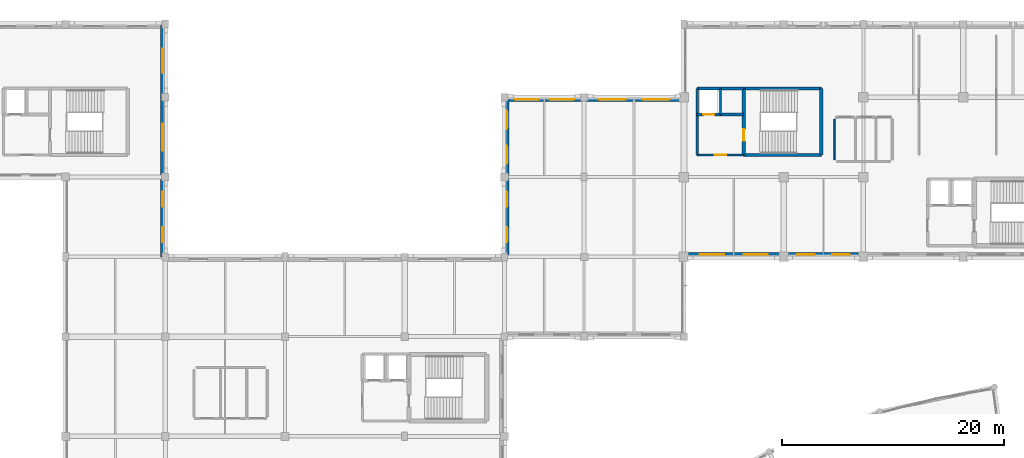
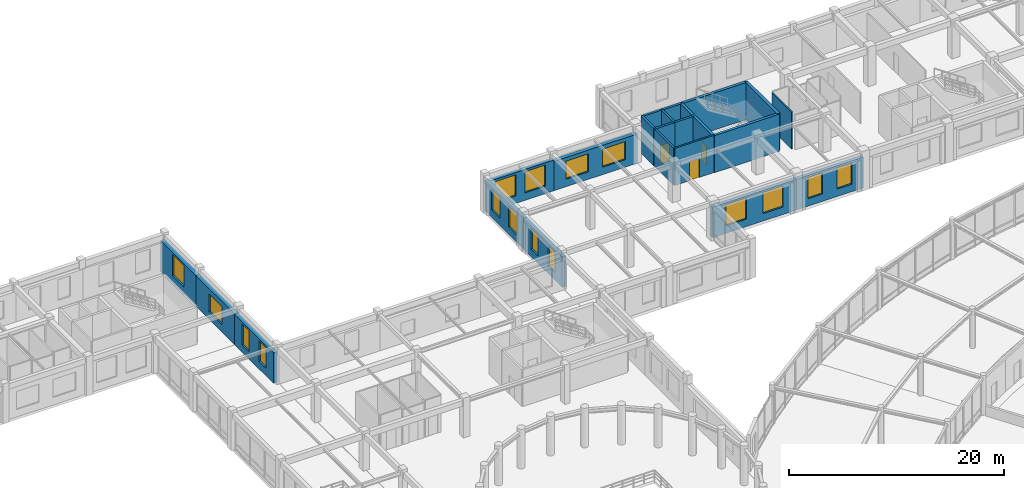
# One storey, part 45 of 62: 21 walls, 16 windows, 3 doors, 19 openings.
"""IFC4 building model written with IfcOpenShell, lengths in metres."""

from ifc_helpers import new_model, si_unit, direction, frame, frame_2d, origin, place, context, subcontext, project, spatial, rectangle, extrude, material, layer, layer_set, type_object, element, fill, save


model = new_model("IFC4")

# Units and contexts
model_context = context("Model", 3, precision=1e-05, world=origin(), true_north=direction((0.0, 1.0)))
body_context = subcontext(model_context, "Body", "Model", "MODEL_VIEW")
ifc_project = project(units=[si_unit("LENGTHUNIT", "METRE"), si_unit("AREAUNIT", "SQUARE_METRE"), si_unit("VOLUMEUNIT", "CUBIC_METRE"), si_unit("PLANEANGLEUNIT", "RADIAN"), si_unit("MASSUNIT", "GRAM", prefix="KILO")], contexts=[model_context])

# Site, building, storey
site_placement = place(None, origin())
site = spatial("IfcSite", under=ifc_project, at=site_placement, CompositionType="ELEMENT")
building_placement = place(site_placement, origin())
building = spatial("IfcBuilding", under=site, at=building_placement, Name="Clarverna Civic Hall", CompositionType="ELEMENT")
storey_placement = place(building_placement, frame((0.0, 0.0, 5.10009765625)))
storey = spatial("IfcBuildingStorey", under=building, at=storey_placement, Name="L01", CompositionType="ELEMENT", Elevation=5.10009765625)

# Wall, opening, window
ifc_material_1 = material(Name="Montjuic Limestone Ashlar Cladding", Category="masonry")
ifc_layer_1 = layer(ifc_material_1, 0.39990234375)
ifc_layer_set_1 = layer_set([ifc_layer_1], Name="Montjuic Limestone Ashlar Cladding")
wall_type_1 = type_object("IfcWallType", Name="EW-02", PredefinedType="SOLIDWALL", material=ifc_layer_set_1)
wall_1_placement = place(storey_placement, frame((66.375, 116.0, 0.0), z_axis=(0.0, 0.0, 1.0), x_axis=(0.0, -1.0, 0.0)))
wall_1 = element("IfcWall", 1, at=wall_1_placement, inside=storey, type_object=wall_type_1, Name="EW-02-024", PredefinedType="SOLIDWALL", context=body_context, shape_type="SweptSolid", body=[
    extrude(rectangle(XDim=6.60009765625, YDim=0.39990234375, at=frame_2d((3.300048828125, 0.0))), origin(), (0.0, 0.0, 1.0), 3.5),
])
opening_1_placement = place(wall_1_placement, frame((2.199951171875, 0.0, 0.85009765625)))
opening_1 = element("IfcOpeningElement", 2, at=opening_1_placement, cuts=wall_1, Name="Opening WN-04", PredefinedType="OPENING", context=body_context, shape_type="SweptSolid", body=[
    extrude(rectangle(XDim=2.199951171875, YDim=2.39990234375, at=frame_2d((1.10009765625, 1.199951171875))), frame((0.0, 0.2099609375, 0.0), z_axis=(0.0, -1.0, 0.0), x_axis=(1.0, 0.0, 0.0)), (0.0, 0.0, 1.0), 0.419921875),
])
ifc_material_2 = material(Name="Solar-Control Argon Low-E Double Glazing", Category="glass")
window_type_1 = type_object("IfcWindowType", Name="WN-04", PartitioningType="DOUBLE_PANEL_VERTICAL", PredefinedType="WINDOW", material=ifc_material_2)
window_1_placement = place(opening_1_placement, origin())
window_1 = element("IfcWindow", 3, at=window_1_placement, inside=storey, type_object=window_type_1, Name="WN-04-006", OverallHeight=2.39990234375, OverallWidth=2.199951171875, PartitioningType="DOUBLE_PANEL_VERTICAL", PredefinedType="WINDOW", context=body_context, shape_type="SweptSolid", body=[
    extrude(rectangle(XDim=2.199951171875, YDim=2.39990234375, at=frame_2d((1.10009765625, 1.199951171875))), frame((0.0, 0.030029296875, 0.0), z_axis=(0.0, -1.0, 0.0), x_axis=(1.0, 0.0, 0.0)), (0.0, 0.0, 1.0), 0.06005859375),
])
fill(opening_1, window_1)

wall_2_placement = place(storey_placement, frame((66.375, 109.39990234375, 0.0), z_axis=(0.0, 0.0, 1.0), x_axis=(0.0, -1.0, 0.0)))
wall_2 = element("IfcWall", 4, at=wall_2_placement, inside=storey, type_object=wall_type_1, Name="EW-02-025", PredefinedType="SOLIDWALL", context=body_context, shape_type="SweptSolid", body=[
    extrude(rectangle(XDim=7.199951171875, YDim=0.39990234375, at=frame_2d((3.60009765625, 0.0))), origin(), (0.0, 0.0, 1.0), 3.5),
])
opening_2_placement = place(wall_2_placement, frame((2.375, 0.0, 0.85009765625)))
opening_2 = element("IfcOpeningElement", 5, at=opening_2_placement, cuts=wall_2, Name="Opening WN-24", PredefinedType="OPENING", context=body_context, shape_type="SweptSolid", body=[
    extrude(rectangle(XDim=2.449951171875, YDim=2.050048828125, at=frame_2d((1.22509765625, 1.02490234375))), frame((0.0, 0.2099609375, 0.0), z_axis=(0.0, -1.0, 0.0), x_axis=(1.0, 0.0, 0.0)), (0.0, 0.0, 1.0), 0.419921875),
])
window_type_2 = type_object("IfcWindowType", Name="WN-24", PartitioningType="TRIPLE_PANEL_VERTICAL", PredefinedType="WINDOW", material=ifc_material_2)
window_2_placement = place(opening_2_placement, origin())
window_2 = element("IfcWindow", 6, at=window_2_placement, inside=storey, type_object=window_type_2, Name="WN-24-011", OverallHeight=2.050048828125, OverallWidth=2.449951171875, PartitioningType="TRIPLE_PANEL_VERTICAL", PredefinedType="WINDOW", context=body_context, shape_type="SweptSolid", body=[
    extrude(rectangle(XDim=2.449951171875, YDim=2.050048828125, at=frame_2d((1.22509765625, 1.02490234375))), frame((0.0, 0.030029296875, 0.0), z_axis=(0.0, -1.0, 0.0), x_axis=(1.0, 0.0, 0.0)), (0.0, 0.0, 1.0), 0.06005859375),
])
fill(opening_2, window_2)

# Wall, openings, windows
wall_3_placement = place(storey_placement, frame((66.375, 102.199951171875, 0.0), z_axis=(0.0, 0.0, 1.0), x_axis=(0.0, -1.0, 0.0)))
wall_3 = element("IfcWall", 7, at=wall_3_placement, inside=storey, type_object=wall_type_1, Name="EW-02-026", PredefinedType="SOLIDWALL", context=body_context, shape_type="SweptSolid", body=[
    extrude(rectangle(XDim=7.199951171875, YDim=0.39990234375, at=frame_2d((3.60009765625, 0.0))), origin(), (0.0, 0.0, 1.0), 3.4599609375),
])
opening_3_placement = place(wall_3_placement, frame((1.341064453125, 0.0, 0.85009765625)))
opening_3 = element("IfcOpeningElement", 8, at=opening_3_placement, cuts=wall_3, Name="Opening WN-29", PredefinedType="OPENING", context=body_context, shape_type="SweptSolid", body=[
    extrude(rectangle(XDim=1.35009765625, YDim=2.35009765625, at=frame_2d((0.675048828125, 1.175048828125))), frame((0.0, 0.2099609375, 0.0), z_axis=(0.0, -1.0, 0.0), x_axis=(1.0, 0.0, 0.0)), (0.0, 0.0, 1.0), 0.419921875),
])
opening_4_placement = place(wall_3_placement, frame((4.509033203125, 0.0, 0.85009765625)))
opening_4 = element("IfcOpeningElement", 9, at=opening_4_placement, cuts=wall_3, Name="Opening WN-29", PredefinedType="OPENING", context=body_context, shape_type="SweptSolid", body=[
    extrude(rectangle(XDim=1.35009765625, YDim=2.35009765625, at=frame_2d((0.675048828125, 1.175048828125))), frame((0.0, 0.2099609375, 0.0), z_axis=(0.0, -1.0, 0.0), x_axis=(1.0, 0.0, 0.0)), (0.0, 0.0, 1.0), 0.419921875),
])
window_type_3 = type_object("IfcWindowType", Name="WN-29", PartitioningType="SINGLE_PANEL", PredefinedType="WINDOW", material=ifc_material_2)
window_3_placement = place(opening_3_placement, origin())
window_3 = element("IfcWindow", 10, at=window_3_placement, inside=storey, type_object=window_type_3, Name="WN-29-011", OverallHeight=2.35009765625, OverallWidth=1.35009765625, PartitioningType="SINGLE_PANEL", PredefinedType="WINDOW", context=body_context, shape_type="SweptSolid", body=[
    extrude(rectangle(XDim=1.35009765625, YDim=2.35009765625, at=frame_2d((0.675048828125, 1.175048828125))), frame((0.0, 0.030029296875, 0.0), z_axis=(0.0, -1.0, 0.0), x_axis=(1.0, 0.0, 0.0)), (0.0, 0.0, 1.0), 0.06005859375),
])
fill(opening_3, window_3)
window_4_placement = place(opening_4_placement, origin())
window_4 = element("IfcWindow", 11, at=window_4_placement, inside=storey, type_object=window_type_3, Name="WN-29-012", OverallHeight=2.35009765625, OverallWidth=1.35009765625, PartitioningType="SINGLE_PANEL", PredefinedType="WINDOW", context=body_context, shape_type="SweptSolid", body=[
    extrude(rectangle(XDim=1.35009765625, YDim=2.35009765625, at=frame_2d((0.675048828125, 1.175048828125))), frame((0.0, 0.030029296875, 0.0), z_axis=(0.0, -1.0, 0.0), x_axis=(1.0, 0.0, 0.0)), (0.0, 0.0, 1.0), 0.06005859375),
])
fill(opening_4, window_4)

wall_4_placement = place(storey_placement, frame((97.425048828125, 95.0, 0.0), z_axis=(0.0, 0.0, 1.0), x_axis=(0.0, 1.0, 0.0)))
wall_4 = element("IfcWall", 12, at=wall_4_placement, inside=storey, type_object=wall_type_1, Name="EW-02-030", PredefinedType="SOLIDWALL", context=body_context, shape_type="SweptSolid", body=[
    extrude(rectangle(XDim=7.199951171875, YDim=0.39990234375, at=frame_2d((3.60009765625, 0.0))), origin(), (0.0, 0.0, 1.0), 3.5),
])
opening_5_placement = place(wall_4_placement, frame((1.341064453125, 0.0, 0.85009765625)))
opening_5 = element("IfcOpeningElement", 13, at=opening_5_placement, cuts=wall_4, Name="Opening WN-29", PredefinedType="OPENING", context=body_context, shape_type="SweptSolid", body=[
    extrude(rectangle(XDim=1.35009765625, YDim=2.35009765625, at=frame_2d((0.675048828125, 1.175048828125))), frame((0.0, 0.2099609375, 0.0), z_axis=(0.0, -1.0, 0.0), x_axis=(1.0, 0.0, 0.0)), (0.0, 0.0, 1.0), 0.419921875),
])
opening_6_placement = place(wall_4_placement, frame((4.509033203125, 0.0, 0.85009765625)))
opening_6 = element("IfcOpeningElement", 14, at=opening_6_placement, cuts=wall_4, Name="Opening WN-29", PredefinedType="OPENING", context=body_context, shape_type="SweptSolid", body=[
    extrude(rectangle(XDim=1.35009765625, YDim=2.35009765625, at=frame_2d((0.675048828125, 1.175048828125))), frame((0.0, 0.2099609375, 0.0), z_axis=(0.0, -1.0, 0.0), x_axis=(1.0, 0.0, 0.0)), (0.0, 0.0, 1.0), 0.419921875),
])
window_5_placement = place(opening_5_placement, origin())
window_5 = element("IfcWindow", 15, at=window_5_placement, inside=storey, type_object=window_type_3, Name="WN-29-013", OverallHeight=2.35009765625, OverallWidth=1.35009765625, PartitioningType="SINGLE_PANEL", PredefinedType="WINDOW", context=body_context, shape_type="SweptSolid", body=[
    extrude(rectangle(XDim=1.35009765625, YDim=2.35009765625, at=frame_2d((0.675048828125, 1.175048828125))), frame((0.0, 0.030029296875, 0.0), z_axis=(0.0, -1.0, 0.0), x_axis=(1.0, 0.0, 0.0)), (0.0, 0.0, 1.0), 0.06005859375),
])
fill(opening_5, window_5)
window_6_placement = place(opening_6_placement, origin())
window_6 = element("IfcWindow", 16, at=window_6_placement, inside=storey, type_object=window_type_3, Name="WN-29-014", OverallHeight=2.35009765625, OverallWidth=1.35009765625, PartitioningType="SINGLE_PANEL", PredefinedType="WINDOW", context=body_context, shape_type="SweptSolid", body=[
    extrude(rectangle(XDim=1.35009765625, YDim=2.35009765625, at=frame_2d((0.675048828125, 1.175048828125))), frame((0.0, 0.030029296875, 0.0), z_axis=(0.0, -1.0, 0.0), x_axis=(1.0, 0.0, 0.0)), (0.0, 0.0, 1.0), 0.06005859375),
])
fill(opening_6, window_6)

wall_5_placement = place(storey_placement, frame((97.425048828125, 102.199951171875, 0.0), z_axis=(0.0, 0.0, 1.0), x_axis=(0.0, 1.0, 0.0)))
wall_5 = element("IfcWall", 17, at=wall_5_placement, inside=storey, type_object=wall_type_1, Name="EW-02-031", PredefinedType="SOLIDWALL", context=body_context, shape_type="SweptSolid", body=[
    extrude(rectangle(XDim=7.199951171875, YDim=0.39990234375, at=frame_2d((3.60009765625, 0.0))), origin(), (0.0, 0.0, 1.0), 3.5),
])
opening_7_placement = place(wall_5_placement, frame((1.216064453125, 0.0, 0.85009765625)))
opening_7 = element("IfcOpeningElement", 18, at=opening_7_placement, cuts=wall_5, Name="Opening WN-03", PredefinedType="OPENING", context=body_context, shape_type="SweptSolid", body=[
    extrude(rectangle(XDim=1.60009765625, YDim=2.39990234375, at=frame_2d((0.800048828125, 1.199951171875))), frame((0.0, 0.2099609375, 0.0), z_axis=(0.0, -1.0, 0.0), x_axis=(1.0, 0.0, 0.0)), (0.0, 0.0, 1.0), 0.419921875),
])
opening_8_placement = place(wall_5_placement, frame((4.384033203125, 0.0, 0.85009765625)))
opening_8 = element("IfcOpeningElement", 19, at=opening_8_placement, cuts=wall_5, Name="Opening WN-03", PredefinedType="OPENING", context=body_context, shape_type="SweptSolid", body=[
    extrude(rectangle(XDim=1.60009765625, YDim=2.39990234375, at=frame_2d((0.800048828125, 1.199951171875))), frame((0.0, 0.2099609375, 0.0), z_axis=(0.0, -1.0, 0.0), x_axis=(1.0, 0.0, 0.0)), (0.0, 0.0, 1.0), 0.419921875),
])
window_type_4 = type_object("IfcWindowType", Name="WN-03", PartitioningType="DOUBLE_PANEL_VERTICAL", PredefinedType="WINDOW", material=ifc_material_2)
window_7_placement = place(opening_7_placement, origin())
window_7 = element("IfcWindow", 20, at=window_7_placement, inside=storey, type_object=window_type_4, Name="WN-03-010", OverallHeight=2.39990234375, OverallWidth=1.60009765625, PartitioningType="DOUBLE_PANEL_VERTICAL", PredefinedType="WINDOW", context=body_context, shape_type="SweptSolid", body=[
    extrude(rectangle(XDim=1.60009765625, YDim=2.39990234375, at=frame_2d((0.800048828125, 1.199951171875))), frame((0.0, 0.030029296875, 0.0), z_axis=(0.0, -1.0, 0.0), x_axis=(1.0, 0.0, 0.0)), (0.0, 0.0, 1.0), 0.06005859375),
])
fill(opening_7, window_7)
window_8_placement = place(opening_8_placement, origin())
window_8 = element("IfcWindow", 21, at=window_8_placement, inside=storey, type_object=window_type_4, Name="WN-03-011", OverallHeight=2.39990234375, OverallWidth=1.60009765625, PartitioningType="DOUBLE_PANEL_VERTICAL", PredefinedType="WINDOW", context=body_context, shape_type="SweptSolid", body=[
    extrude(rectangle(XDim=1.60009765625, YDim=2.39990234375, at=frame_2d((0.800048828125, 1.199951171875))), frame((0.0, 0.030029296875, 0.0), z_axis=(0.0, -1.0, 0.0), x_axis=(1.0, 0.0, 0.0)), (0.0, 0.0, 1.0), 0.06005859375),
])
fill(opening_8, window_8)

wall_6_placement = place(storey_placement, frame((97.22509765625, 109.199951171875, 0.0), z_axis=(0.0, 0.0, 1.0), x_axis=(1.0, 0.0, 0.0)))
wall_6 = element("IfcWall", 22, at=wall_6_placement, inside=storey, type_object=wall_type_1, Name="EW-02-032", PredefinedType="SOLIDWALL", context=body_context, shape_type="SweptSolid", body=[
    extrude(rectangle(XDim=7.1748046875, YDim=0.39990234375, at=frame_2d((3.58740234375, 0.0))), origin(), (0.0, 0.0, 1.0), 3.5),
])
opening_9_placement = place(wall_6_placement, frame((0.908935546875, 0.0, 0.85009765625)))
opening_9 = element("IfcOpeningElement", 23, at=opening_9_placement, cuts=wall_6, Name="Opening WN-04", PredefinedType="OPENING", context=body_context, shape_type="SweptSolid", body=[
    extrude(rectangle(XDim=2.199951171875, YDim=2.39990234375, at=frame_2d((1.10009765625, 1.199951171875))), frame((0.0, 0.2099609375, 0.0), z_axis=(0.0, -1.0, 0.0), x_axis=(1.0, 0.0, 0.0)), (0.0, 0.0, 1.0), 0.419921875),
])
opening_10_placement = place(wall_6_placement, frame((4.06591796875, 0.0, 0.85009765625)))
opening_10 = element("IfcOpeningElement", 24, at=opening_10_placement, cuts=wall_6, Name="Opening WN-04", PredefinedType="OPENING", context=body_context, shape_type="SweptSolid", body=[
    extrude(rectangle(XDim=2.199951171875, YDim=2.39990234375, at=frame_2d((1.10009765625, 1.199951171875))), frame((0.0, 0.2099609375, 0.0), z_axis=(0.0, -1.0, 0.0), x_axis=(1.0, 0.0, 0.0)), (0.0, 0.0, 1.0), 0.419921875),
])
window_9_placement = place(opening_9_placement, origin())
window_9 = element("IfcWindow", 25, at=window_9_placement, inside=storey, type_object=window_type_1, Name="WN-04-007", OverallHeight=2.39990234375, OverallWidth=2.199951171875, PartitioningType="DOUBLE_PANEL_VERTICAL", PredefinedType="WINDOW", context=body_context, shape_type="SweptSolid", body=[
    extrude(rectangle(XDim=2.199951171875, YDim=2.39990234375, at=frame_2d((1.10009765625, 1.199951171875))), frame((0.0, 0.030029296875, 0.0), z_axis=(0.0, -1.0, 0.0), x_axis=(1.0, 0.0, 0.0)), (0.0, 0.0, 1.0), 0.06005859375),
])
fill(opening_9, window_9)
window_10_placement = place(opening_10_placement, origin())
window_10 = element("IfcWindow", 26, at=window_10_placement, inside=storey, type_object=window_type_1, Name="WN-04-008", OverallHeight=2.39990234375, OverallWidth=2.199951171875, PartitioningType="DOUBLE_PANEL_VERTICAL", PredefinedType="WINDOW", context=body_context, shape_type="SweptSolid", body=[
    extrude(rectangle(XDim=2.199951171875, YDim=2.39990234375, at=frame_2d((1.10009765625, 1.199951171875))), frame((0.0, 0.030029296875, 0.0), z_axis=(0.0, -1.0, 0.0), x_axis=(1.0, 0.0, 0.0)), (0.0, 0.0, 1.0), 0.06005859375),
])
fill(opening_10, window_10)

wall_7_placement = place(storey_placement, frame((104.39990234375, 109.199951171875, 0.0), z_axis=(0.0, 0.0, 1.0), x_axis=(1.0, 0.0, 0.0)))
wall_7 = element("IfcWall", 27, at=wall_7_placement, inside=storey, type_object=wall_type_1, Name="EW-02-033", PredefinedType="SOLIDWALL", context=body_context, shape_type="SweptSolid", body=[
    extrude(rectangle(XDim=9.0, YDim=0.39990234375, at=frame_2d((4.5, 0.0))), origin(), (0.0, 0.0, 1.0), 3.31982421875),
])
opening_11_placement = place(wall_7_placement, frame((1.294921875, 0.0, 0.85009765625)))
opening_11 = element("IfcOpeningElement", 28, at=opening_11_placement, cuts=wall_7, Name="Opening WN-24", PredefinedType="OPENING", context=body_context, shape_type="SweptSolid", body=[
    extrude(rectangle(XDim=2.449951171875, YDim=2.050048828125, at=frame_2d((1.22509765625, 1.02490234375))), frame((0.0, 0.2099609375, 0.0), z_axis=(0.0, -1.0, 0.0), x_axis=(1.0, 0.0, 0.0)), (0.0, 0.0, 1.0), 0.419921875),
])
opening_12_placement = place(wall_7_placement, frame((5.2548828125, 0.0, 0.85009765625)))
opening_12 = element("IfcOpeningElement", 29, at=opening_12_placement, cuts=wall_7, Name="Opening WN-24", PredefinedType="OPENING", context=body_context, shape_type="SweptSolid", body=[
    extrude(rectangle(XDim=2.449951171875, YDim=2.050048828125, at=frame_2d((1.22509765625, 1.02490234375))), frame((0.0, 0.2099609375, 0.0), z_axis=(0.0, -1.0, 0.0), x_axis=(1.0, 0.0, 0.0)), (0.0, 0.0, 1.0), 0.419921875),
])
window_11_placement = place(opening_11_placement, origin())
window_11 = element("IfcWindow", 30, at=window_11_placement, inside=storey, type_object=window_type_2, Name="WN-24-014", OverallHeight=2.050048828125, OverallWidth=2.449951171875, PartitioningType="TRIPLE_PANEL_VERTICAL", PredefinedType="WINDOW", context=body_context, shape_type="SweptSolid", body=[
    extrude(rectangle(XDim=2.449951171875, YDim=2.050048828125, at=frame_2d((1.22509765625, 1.02490234375))), frame((0.0, 0.030029296875, 0.0), z_axis=(0.0, -1.0, 0.0), x_axis=(1.0, 0.0, 0.0)), (0.0, 0.0, 1.0), 0.06005859375),
])
fill(opening_11, window_11)
window_12_placement = place(opening_12_placement, origin())
window_12 = element("IfcWindow", 31, at=window_12_placement, inside=storey, type_object=window_type_2, Name="WN-24-015", OverallHeight=2.050048828125, OverallWidth=2.449951171875, PartitioningType="TRIPLE_PANEL_VERTICAL", PredefinedType="WINDOW", context=body_context, shape_type="SweptSolid", body=[
    extrude(rectangle(XDim=2.449951171875, YDim=2.050048828125, at=frame_2d((1.22509765625, 1.02490234375))), frame((0.0, 0.030029296875, 0.0), z_axis=(0.0, -1.0, 0.0), x_axis=(1.0, 0.0, 0.0)), (0.0, 0.0, 1.0), 0.06005859375),
])
fill(opening_12, window_12)

wall_8_placement = place(storey_placement, frame((129.60009765625, 95.199951171875, 0.0), z_axis=(0.0, 0.0, 1.0), x_axis=(-1.0, 0.0, 0.0)))
wall_8 = element("IfcWall", 32, at=wall_8_placement, inside=storey, type_object=wall_type_1, Name="EW-02-047", PredefinedType="SOLIDWALL", context=body_context, shape_type="SweptSolid", body=[
    extrude(rectangle(XDim=7.2001953125, YDim=0.39990234375, at=frame_2d((3.60009765625, 0.0))), origin(), (0.0, 0.0, 1.0), 3.469970703125),
])
opening_13_placement = place(wall_8_placement, frame((1.216064453125, 0.0, 0.85009765625)))
opening_13 = element("IfcOpeningElement", 33, at=opening_13_placement, cuts=wall_8, Name="Opening WN-03", PredefinedType="OPENING", context=body_context, shape_type="SweptSolid", body=[
    extrude(rectangle(XDim=1.60009765625, YDim=2.39990234375, at=frame_2d((0.800048828125, 1.199951171875))), frame((0.0, 0.2099609375, 0.0), z_axis=(0.0, -1.0, 0.0), x_axis=(1.0, 0.0, 0.0)), (0.0, 0.0, 1.0), 0.419921875),
])
opening_14_placement = place(wall_8_placement, frame((4.384033203125, 0.0, 0.85009765625)))
opening_14 = element("IfcOpeningElement", 34, at=opening_14_placement, cuts=wall_8, Name="Opening WN-03", PredefinedType="OPENING", context=body_context, shape_type="SweptSolid", body=[
    extrude(rectangle(XDim=1.60009765625, YDim=2.39990234375, at=frame_2d((0.800048828125, 1.199951171875))), frame((0.0, 0.2099609375, 0.0), z_axis=(0.0, -1.0, 0.0), x_axis=(1.0, 0.0, 0.0)), (0.0, 0.0, 1.0), 0.419921875),
])
window_13_placement = place(opening_13_placement, origin())
window_13 = element("IfcWindow", 35, at=window_13_placement, inside=storey, type_object=window_type_4, Name="WN-03-015", OverallHeight=2.39990234375, OverallWidth=1.60009765625, PartitioningType="DOUBLE_PANEL_VERTICAL", PredefinedType="WINDOW", context=body_context, shape_type="SweptSolid", body=[
    extrude(rectangle(XDim=1.60009765625, YDim=2.39990234375, at=frame_2d((0.800048828125, 1.199951171875))), frame((0.0, 0.030029296875, 0.0), z_axis=(0.0, -1.0, 0.0), x_axis=(1.0, 0.0, 0.0)), (0.0, 0.0, 1.0), 0.06005859375),
])
fill(opening_13, window_13)
window_14_placement = place(opening_14_placement, origin())
window_14 = element("IfcWindow", 36, at=window_14_placement, inside=storey, type_object=window_type_4, Name="WN-03-016", OverallHeight=2.39990234375, OverallWidth=1.60009765625, PartitioningType="DOUBLE_PANEL_VERTICAL", PredefinedType="WINDOW", context=body_context, shape_type="SweptSolid", body=[
    extrude(rectangle(XDim=1.60009765625, YDim=2.39990234375, at=frame_2d((0.800048828125, 1.199951171875))), frame((0.0, 0.030029296875, 0.0), z_axis=(0.0, -1.0, 0.0), x_axis=(1.0, 0.0, 0.0)), (0.0, 0.0, 1.0), 0.06005859375),
])
fill(opening_14, window_14)

wall_9_placement = place(storey_placement, frame((122.39990234375, 95.199951171875, 0.0), z_axis=(0.0, 0.0, 1.0), x_axis=(-1.0, 0.0, 0.0)))
wall_9 = element("IfcWall", 37, at=wall_9_placement, inside=storey, type_object=wall_type_1, Name="EW-02-048", PredefinedType="SOLIDWALL", context=body_context, shape_type="SweptSolid", body=[
    extrude(rectangle(XDim=9.0, YDim=0.39990234375, at=frame_2d((4.5, 0.0))), origin(), (0.0, 0.0, 1.0), 3.469970703125),
])
opening_15_placement = place(wall_9_placement, frame((1.419921875, 0.0, 0.85009765625)))
opening_15 = element("IfcOpeningElement", 38, at=opening_15_placement, cuts=wall_9, Name="Opening WN-04", PredefinedType="OPENING", context=body_context, shape_type="SweptSolid", body=[
    extrude(rectangle(XDim=2.199951171875, YDim=2.39990234375, at=frame_2d((1.10009765625, 1.199951171875))), frame((0.0, 0.2099609375, 0.0), z_axis=(0.0, -1.0, 0.0), x_axis=(1.0, 0.0, 0.0)), (0.0, 0.0, 1.0), 0.419921875),
])
opening_16_placement = place(wall_9_placement, frame((5.3798828125, 0.0, 0.85009765625)))
opening_16 = element("IfcOpeningElement", 39, at=opening_16_placement, cuts=wall_9, Name="Opening WN-04", PredefinedType="OPENING", context=body_context, shape_type="SweptSolid", body=[
    extrude(rectangle(XDim=2.199951171875, YDim=2.39990234375, at=frame_2d((1.10009765625, 1.199951171875))), frame((0.0, 0.2099609375, 0.0), z_axis=(0.0, -1.0, 0.0), x_axis=(1.0, 0.0, 0.0)), (0.0, 0.0, 1.0), 0.419921875),
])
window_15_placement = place(opening_15_placement, origin())
window_15 = element("IfcWindow", 40, at=window_15_placement, inside=storey, type_object=window_type_1, Name="WN-04-011", OverallHeight=2.39990234375, OverallWidth=2.199951171875, PartitioningType="DOUBLE_PANEL_VERTICAL", PredefinedType="WINDOW", context=body_context, shape_type="SweptSolid", body=[
    extrude(rectangle(XDim=2.199951171875, YDim=2.39990234375, at=frame_2d((1.10009765625, 1.199951171875))), frame((0.0, 0.030029296875, 0.0), z_axis=(0.0, -1.0, 0.0), x_axis=(1.0, 0.0, 0.0)), (0.0, 0.0, 1.0), 0.06005859375),
])
fill(opening_15, window_15)
window_16_placement = place(opening_16_placement, origin())
window_16 = element("IfcWindow", 41, at=window_16_placement, inside=storey, type_object=window_type_1, Name="WN-04-012", OverallHeight=2.39990234375, OverallWidth=2.199951171875, PartitioningType="DOUBLE_PANEL_VERTICAL", PredefinedType="WINDOW", context=body_context, shape_type="SweptSolid", body=[
    extrude(rectangle(XDim=2.199951171875, YDim=2.39990234375, at=frame_2d((1.10009765625, 1.199951171875))), frame((0.0, 0.030029296875, 0.0), z_axis=(0.0, -1.0, 0.0), x_axis=(1.0, 0.0, 0.0)), (0.0, 0.0, 1.0), 0.06005859375),
])
fill(opening_16, window_16)

# Walls
ifc_material_3 = material(Name="Ceramic Brick and Plaster Wet-Room Partition", Category="masonry")
ifc_layer_2 = layer(ifc_material_3, 0.139892578125)
ifc_layer_set_2 = layer_set([ifc_layer_2], Name="Ceramic Brick and Plaster Wet-Room Partition")
wall_type_2 = type_object("IfcWallType", Name="PW-02", PredefinedType="PARTITIONING", material=ifc_layer_set_2)
wall_10_placement = place(storey_placement, frame((127.0, 103.780029296875, 0.0), z_axis=(0.0, 0.0, 1.0), x_axis=(0.0, 1.0, 0.0)))
element("IfcWall", 42, at=wall_10_placement, inside=storey, type_object=wall_type_2, Name="PW-02-018", PredefinedType="PARTITIONING", context=body_context, shape_type="SweptSolid", body=[
    extrude(rectangle(XDim=3.639892578125, YDim=0.139892578125, at=frame_2d((1.81982421875, 0.0))), origin(), (0.0, 0.0, 1.0), 4.219970703125),
])
ifc_material_4 = material(Name="Acoustic Gypsum Plasterboard on Twin Frame", Category="gypsum")
ifc_layer_3 = layer(ifc_material_4, 0.18994140625)
ifc_layer_set_3 = layer_set([ifc_layer_3], Name="Acoustic Gypsum Plasterboard on Twin Frame")
wall_type_3 = type_object("IfcWallType", Name="PW-06", PredefinedType="PARTITIONING", material=ifc_layer_set_3)
wall_11_placement = place(storey_placement, frame((114.60009765625, 104.199951171875, 0.0), z_axis=(0.0, 0.0, 1.0), x_axis=(0.0, 1.0, 0.0)))
element("IfcWall", 43, at=wall_11_placement, inside=storey, type_object=wall_type_3, Name="PW-06-093", PredefinedType="PARTITIONING", context=body_context, shape_type="SweptSolid", body=[
    extrude(rectangle(XDim=3.650146484375, YDim=0.18994140625, at=frame_2d((1.8251953125, 0.0))), origin(), (0.0, 0.0, 1.0), 4.219970703125),
])

# Wall, opening, door
wall_12_placement = place(storey_placement, frame((114.60009765625, 104.199951171875, 0.0), z_axis=(0.0, 0.0, 1.0), x_axis=(1.0, 0.0, 0.0)))
wall_12 = element("IfcWall", 44, at=wall_12_placement, inside=storey, type_object=wall_type_3, Name="PW-06-094", PredefinedType="PARTITIONING", context=body_context, shape_type="SweptSolid", body=[
    extrude(rectangle(XDim=4.199951171875, YDim=0.18994140625, at=frame_2d((2.10009765625, 0.0))), origin(), (0.0, 0.0, 1.0), 4.219970703125),
])
opening_17_placement = place(wall_12_placement, frame((1.574951171875, 0.0, 0.0)))
opening_17 = element("IfcOpeningElement", 45, at=opening_17_placement, cuts=wall_12, Name="Opening FD-02", PredefinedType="OPENING", context=body_context, shape_type="SweptSolid", body=[
    extrude(rectangle(XDim=1.050048828125, YDim=2.14990234375, at=frame_2d((0.52490234375, 1.074951171875))), frame((0.0, 0.10498046875, 0.0), z_axis=(0.0, -1.0, 0.0), x_axis=(1.0, 0.0, 0.0)), (0.0, 0.0, 1.0), 0.2099609375),
])
ifc_material_5 = material(Name="Acoustic Timber-Faced Fire Door", Category="wood")
door_type_1 = type_object("IfcDoorType", Name="FD-02", OperationType="NOTDEFINED", PredefinedType="DOOR", material=ifc_material_5)
door_1_placement = place(opening_17_placement, origin())
door_1 = element("IfcDoor", 46, at=door_1_placement, inside=storey, type_object=door_type_1, Name="FD-02-086", OperationType="SINGLE_SWING_RIGHT", OverallHeight=2.14990234375, OverallWidth=1.050048828125, PredefinedType="DOOR", context=body_context, shape_type="SweptSolid", body=[
    extrude(rectangle(XDim=1.050048828125, YDim=2.14990234375, at=frame_2d((0.52490234375, 1.074951171875))), frame((0.0, 0.02490234375, 0.0), z_axis=(0.0, -1.0, 0.0), x_axis=(1.0, 0.0, 0.0)), (0.0, 0.0, 1.0), 0.050048828125),
])
fill(opening_17, door_1)

ifc_material_6 = material(Name="Concrete C35/45", Category="concrete")
ifc_layer_4 = layer(ifc_material_6, 0.300048828125)
ifc_layer_set_4 = layer_set([ifc_layer_4], Name="Concrete C35/45")
wall_type_4 = type_object("IfcWallType", Name="SW-03", PredefinedType="SHEAR", material=ifc_layer_set_4)
wall_13_placement = place(storey_placement, frame((118.800048828125, 104.199951171875, 0.0), z_axis=(0.0, 0.0, 1.0), x_axis=(0.0, 1.0, 0.0)))
wall_13 = element("IfcWall", 47, at=wall_13_placement, inside=storey, type_object=wall_type_4, Name="SW-03-163", PredefinedType="SHEAR", context=body_context, shape_type="SweptSolid", body=[
    extrude(rectangle(XDim=6.0, YDim=0.300048828125, at=frame_2d((3.0, 0.0))), origin(), (0.0, 0.0, 1.0), 4.219970703125),
])
opening_18_placement = place(wall_13_placement, frame((1.27490234375, 0.0, 0.0)))
opening_18 = element("IfcOpeningElement", 48, at=opening_18_placement, cuts=wall_13, Name="Opening FD-02", PredefinedType="OPENING", context=body_context, shape_type="SweptSolid", body=[
    extrude(rectangle(XDim=1.050048828125, YDim=2.14990234375, at=frame_2d((0.52490234375, 1.074951171875))), frame((0.0, 0.159912109375, 0.0), z_axis=(0.0, -1.0, 0.0), x_axis=(1.0, 0.0, 0.0)), (0.0, 0.0, 1.0), 0.320068359375),
])
door_2_placement = place(opening_18_placement, origin())
door_2 = element("IfcDoor", 49, at=door_2_placement, inside=storey, type_object=door_type_1, Name="FD-02-085", OperationType="SINGLE_SWING_LEFT", OverallHeight=2.14990234375, OverallWidth=1.050048828125, PredefinedType="DOOR", context=body_context, shape_type="SweptSolid", body=[
    extrude(rectangle(XDim=1.050048828125, YDim=2.14990234375, at=frame_2d((0.52490234375, 1.074951171875))), frame((0.0, 0.02490234375, 0.0), z_axis=(0.0, -1.0, 0.0), x_axis=(1.0, 0.0, 0.0)), (0.0, 0.0, 1.0), 0.050048828125),
])
fill(opening_18, door_2)

# Walls
wall_14_placement = place(storey_placement, frame((125.800048828125, 104.199951171875, 0.0), z_axis=(0.0, 0.0, 1.0), x_axis=(0.0, 1.0, 0.0)))
element("IfcWall", 50, at=wall_14_placement, inside=storey, type_object=wall_type_4, Name="SW-03-164", PredefinedType="SHEAR", context=body_context, shape_type="SweptSolid", body=[
    extrude(rectangle(XDim=6.0, YDim=0.300048828125, at=frame_2d((3.0, 0.0))), origin(), (0.0, 0.0, 1.0), 4.219970703125),
])
for number, where, z_axis, x_axis, name in (
    (51, (118.800048828125, 104.199951171875, 0.0), (0.0, 0.0, 1.0), (1.0, 0.0, 0.0), "SW-03-165"),
    (52, (118.800048828125, 110.199951171875, 0.0), (0.0, 0.0, 1.0), (1.0, 0.0, 0.0), "SW-03-166"),
):
    element("IfcWall", number, at=place(storey_placement, frame(where, z_axis=z_axis, x_axis=x_axis)), inside=storey, type_object=wall_type_4, Name=name, PredefinedType="SHEAR", context=body_context, shape_type="SweptSolid", body=[
        extrude(rectangle(XDim=7.0, YDim=0.300048828125, at=frame_2d((3.5, 0.0))), origin(), (0.0, 0.0, 1.0), 4.219970703125),
    ])
wall_15_placement = place(storey_placement, frame((114.60009765625, 110.199951171875, 0.0), z_axis=(0.0, 0.0, 1.0), x_axis=(1.0, 0.0, 0.0)))
element("IfcWall", 53, at=wall_15_placement, inside=storey, type_object=wall_type_4, Name="SW-03-167", PredefinedType="SHEAR", context=body_context, shape_type="SweptSolid", body=[
    extrude(rectangle(XDim=4.199951171875, YDim=0.239990234375, at=frame_2d((2.10009765625, 0.0))), origin(), (0.0, 0.0, 1.0), 4.219970703125),
])
wall_16_placement = place(storey_placement, frame((114.60009765625, 107.85009765625, 0.0), z_axis=(0.0, 0.0, 1.0), x_axis=(0.0, 1.0, 0.0)))
element("IfcWall", 54, at=wall_16_placement, inside=storey, type_object=wall_type_4, Name="SW-03-168", PredefinedType="SHEAR", context=body_context, shape_type="SweptSolid", body=[
    extrude(rectangle(XDim=2.349853515625, YDim=0.239990234375, at=frame_2d((1.1748046875, 0.0))), origin(), (0.0, 0.0, 1.0), 4.219970703125),
])
wall_17_placement = place(storey_placement, frame((116.699951171875, 107.85009765625, 0.0), z_axis=(0.0, 0.0, 1.0), x_axis=(0.0, 1.0, 0.0)))
element("IfcWall", 55, at=wall_17_placement, inside=storey, type_object=wall_type_4, Name="SW-03-169", PredefinedType="SHEAR", context=body_context, shape_type="SweptSolid", body=[
    extrude(rectangle(XDim=2.349853515625, YDim=0.199951171875, at=frame_2d((1.1748046875, 0.0))), origin(), (0.0, 0.0, 1.0), 4.219970703125),
])

# Wall, opening, door
wall_18_placement = place(storey_placement, frame((114.60009765625, 107.85009765625, 0.0), z_axis=(0.0, 0.0, 1.0), x_axis=(1.0, 0.0, 0.0)))
wall_18 = element("IfcWall", 56, at=wall_18_placement, inside=storey, type_object=wall_type_4, Name="SW-03-170", PredefinedType="SHEAR", context=body_context, shape_type="SweptSolid", body=[
    extrude(rectangle(XDim=2.099853515625, YDim=0.239990234375, at=frame_2d((1.0498046875, 0.0))), origin(), (0.0, 0.0, 1.0), 4.219970703125),
])
opening_19_placement = place(wall_18_placement, frame((0.550048828125, 0.0, 0.0)))
opening_19 = element("IfcOpeningElement", 57, at=opening_19_placement, cuts=wall_18, Name="Opening LD-01", PredefinedType="OPENING", context=body_context, shape_type="SweptSolid", body=[
    extrude(rectangle(XDim=1.0, YDim=2.10009765625, at=frame_2d((0.5, 1.050048828125))), frame((0.0, 0.1298828125, 0.0), z_axis=(0.0, -1.0, 0.0), x_axis=(1.0, 0.0, 0.0)), (0.0, 0.0, 1.0), 0.260009765625),
])
ifc_material_7 = material(Name="Brushed Bronze Stainless Lift Landing Door")
door_type_2 = type_object("IfcDoorType", Name="LD-01", OperationType="SLIDING_TO_LEFT", PredefinedType="DOOR", material=ifc_material_7)
door_3_placement = place(opening_19_placement, origin())
door_3 = element("IfcDoor", 58, at=door_3_placement, inside=storey, type_object=door_type_2, Name="LD-01-066", OperationType="SLIDING_TO_LEFT", OverallHeight=2.10009765625, OverallWidth=1.0, PredefinedType="DOOR", context=body_context, shape_type="SweptSolid", body=[
    extrude(rectangle(XDim=1.0, YDim=2.10009765625, at=frame_2d((0.5, 1.050048828125))), frame((0.0, 0.02490234375, 0.0), z_axis=(0.0, -1.0, 0.0), x_axis=(1.0, 0.0, 0.0)), (0.0, 0.0, 1.0), 0.050048828125),
])
fill(opening_19, door_3)

# Wall
wall_19_placement = place(storey_placement, frame((116.699951171875, 107.85009765625, 0.0), z_axis=(0.0, 0.0, 1.0), x_axis=(1.0, 0.0, 0.0)))
element("IfcWall", 59, at=wall_19_placement, inside=storey, type_object=wall_type_4, Name="SW-03-171", PredefinedType="SHEAR", context=body_context, shape_type="SweptSolid", body=[
    extrude(rectangle(XDim=2.10009765625, YDim=0.239990234375, at=frame_2d((1.050048828125, 0.0))), origin(), (0.0, 0.0, 1.0), 4.219970703125),
])

save(model, "model.ifc")
